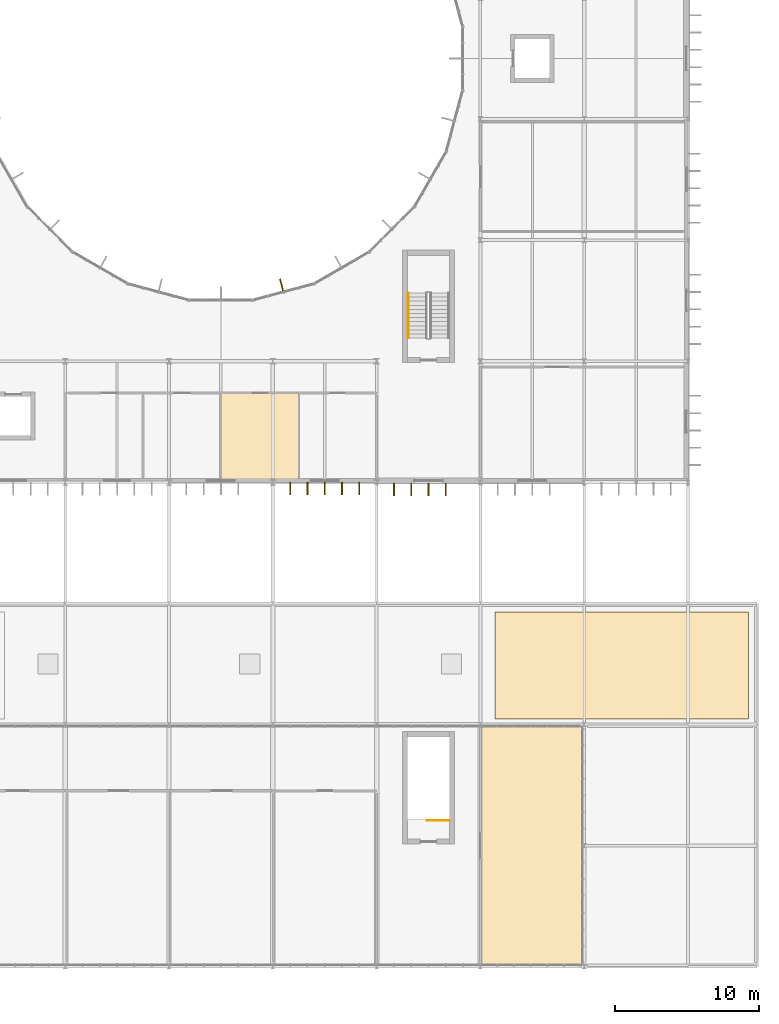
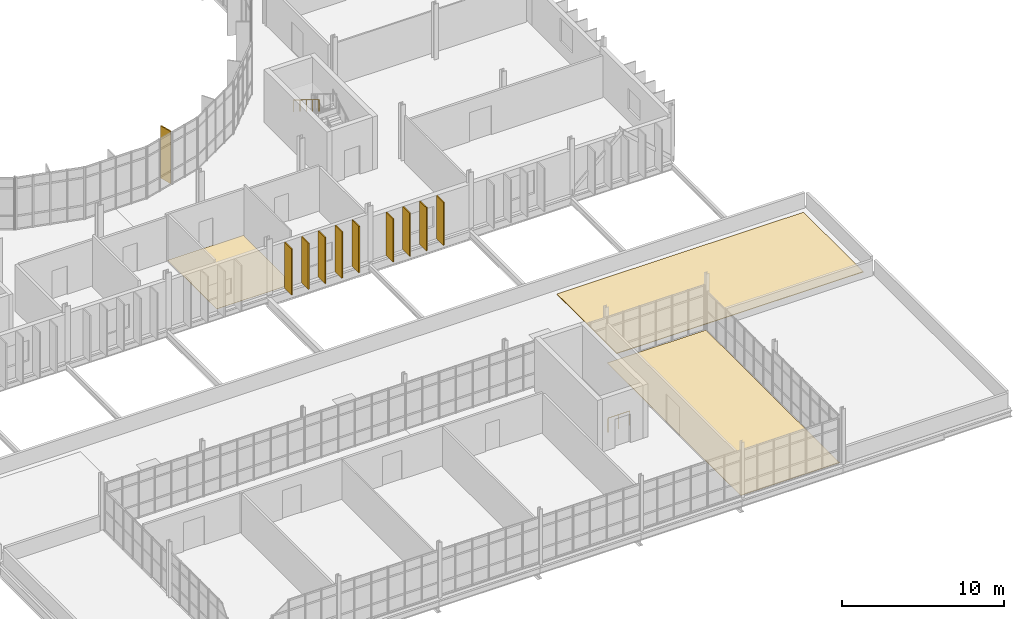
# One storey, part 117 of 119: 10 shading devices, 3 coverings, 2 railings.
"""IFC4 building model written with IfcOpenShell, lengths in metres."""

from ifc_helpers import new_model, si_unit, direction, frame, origin, origin_2d, place, context, subcontext, project, spatial, polyline, rectangle, circle, outline, extrude, material, layer, layer_set, type_object, element, save


model = new_model("IFC4")

# Units and contexts
model_context = context("Model", 3, precision=1e-05, world=origin(), true_north=direction((0.0, 1.0)))
body_context = subcontext(model_context, "Body", "Model", "MODEL_VIEW")
ifc_project = project(units=[si_unit("LENGTHUNIT", "METRE"), si_unit("AREAUNIT", "SQUARE_METRE"), si_unit("VOLUMEUNIT", "CUBIC_METRE"), si_unit("PLANEANGLEUNIT", "RADIAN"), si_unit("MASSUNIT", "GRAM", prefix="KILO")], contexts=[model_context])

# Site, building, storey
site_placement = place(None, origin())
site = spatial("IfcSite", under=ifc_project, at=site_placement, CompositionType="ELEMENT")
building_placement = place(site_placement, origin())
building = spatial("IfcBuilding", under=site, at=building_placement, Name="Qelthora Terrace Specialist Clinic", CompositionType="ELEMENT")
storey_placement = place(building_placement, frame((0.0, 0.0, 4.800048828125)))
storey = spatial("IfcBuildingStorey", under=building, at=storey_placement, Name="L01", CompositionType="ELEMENT", Elevation=4.800048828125)

# Coverings
ifc_material_1 = material(Name="Antimicrobial clinical linoleum flooring", Category="other")
ifc_layer_1 = layer(ifc_material_1, 0.011962890625)
ifc_layer_set_1 = layer_set([ifc_layer_1], Name="Antimicrobial clinical linoleum flooring")
covering_type_1 = type_object("IfcCoveringType", Name="COV-FLR-LINO-12", PredefinedType="FLOORING", material=ifc_layer_set_1)
covering_1_placement = place(storey_placement, origin())
element("IfcCovering", 1, at=covering_1_placement, inside=storey, type_object=covering_type_1, Name="Cardiopulmonary Rehab Studio L01-24 resilient linoleum flooring", PredefinedType="FLOORING", context=body_context, shape_type="SweptSolid", body=[
    extrude(outline(polyline([(144.0, 0.14990234375), (144.0, 16.64990234375), (151.050048828125, 16.64990234375), (151.050048828125, 0.14990234375), (144.0, 0.14990234375)])), origin(), (0.0, 0.0, 1.0), 0.011962890625),
])
covering_2_placement = place(storey_placement, origin())
element("IfcCovering", 2, at=covering_2_placement, inside=storey, type_object=covering_type_1, Name="Cardiology Waiting Lounge L01-35 resilient linoleum flooring", PredefinedType="FLOORING", context=body_context, shape_type="SweptSolid", body=[
    extrude(outline(polyline([(126.0048828125, 39.800048828125), (131.39990234375, 39.800048828125), (131.39990234375, 33.72998046875), (126.0048828125, 33.72998046875), (126.0048828125, 39.800048828125)])), origin(), (0.0, 0.0, 1.0), 0.011962890625),
])
ifc_material_2 = material(Name="Standing-seam titanium-zinc", Category="metals")
ifc_layer_2 = layer(ifc_material_2, 0.0400390625)
ifc_layer_set_2 = layer_set([ifc_layer_2], Name="Standing-seam titanium-zinc")
covering_type_2 = type_object("IfcCoveringType", Name="COV-ROOF-ZINC", PredefinedType="ROOFING", material=ifc_layer_set_2)
covering_3_placement = place(storey_placement, origin())
element("IfcCovering", 3, at=covering_3_placement, inside=storey, type_object=covering_type_2, Name="Standing-seam zinc roof covering RCOV-L01-11", PredefinedType="ROOFING", context=body_context, shape_type="SweptSolid", body=[
    extrude(outline(polyline([(145.0, 17.199951171875), (162.60009765625, 17.199951171875), (162.60009765625, 24.60009765625), (145.0, 24.60009765625), (145.0, 17.199951171875)])), origin(), (0.0, 0.0, 1.0), 0.0400390625),
])

# Railings
ifc_material_3 = material(Name="Steel S355", Category="steel")
railing_type_1 = type_object("IfcRailingType", Name="RAL-GD-1100-S355", PredefinedType="GUARDRAIL", material=ifc_material_3)
railing_1_placement = place(storey_placement, frame((141.85009765625, 10.14990234375, 0.0)))
element("IfcRailing", 4, at=railing_1_placement, inside=storey, type_object=railing_type_1, Name="L01 ST-08 top well guard 1", PredefinedType="GUARDRAIL", context=body_context, shape_type="SweptSolid", body=[
    extrude(circle(Radius=0.02392578125, at=origin_2d()), frame((0.0, 0.0, 1.076171875), z_axis=(-1.0, 0.0, 0.0), x_axis=(0.0, -1.0, 0.0)), (0.0, 0.0, 1.0), 1.550048828125),
    extrude(circle(Radius=0.02099609375, at=origin_2d()), origin(), (0.0, 0.0, 1.0), 1.052001953125),
    extrude(circle(Radius=0.02099609375, at=origin_2d()), frame((-0.77490234375, 0.0, 0.0)), (0.0, 0.0, 1.0), 1.052001953125),
    extrude(circle(Radius=0.02099609375, at=origin_2d()), frame((-1.550048828125, 0.0, 0.0)), (0.0, 0.0, 1.0), 1.052001953125),
])
railing_type_2 = type_object("IfcRailingType", Name="RAL-HR-900-S355", PredefinedType="HANDRAIL", material=ifc_material_3)
railing_2_placement = place(storey_placement, frame((139.0, 46.735107421875, 2.468017578125)))
element("IfcRailing", 5, at=railing_2_placement, inside=storey, type_object=railing_type_2, Name="L01 ST-06 stair handrail 2", PredefinedType="HANDRAIL", context=body_context, shape_type="SweptSolid", body=[
    extrude(circle(Radius=0.02392578125, at=origin_2d()), frame((0.0, 0.0, 0.8759765625), z_axis=(0.0, -0.852166034122, 0.523271488128), x_axis=(1.0, 0.0, 0.0)), (0.0, 0.0, 1.0), 3.678955078125),
    extrude(circle(Radius=0.02099609375, at=origin_2d()), origin(), (0.0, 0.0, 1.0), 0.851806640625),
    extrude(circle(Radius=0.02099609375, at=origin_2d()), frame((0.0, -0.78369140625, 0.481201171875)), (0.0, 0.0, 1.0), 0.851806640625),
    extrude(circle(Radius=0.02099609375, at=origin_2d()), frame((0.0, -1.5673828125, 0.96240234375)), (0.0, 0.0, 1.0), 0.851806640625),
    extrude(circle(Radius=0.02099609375, at=origin_2d()), frame((0.0, -2.351318359375, 1.44384765625)), (0.0, 0.0, 1.0), 0.851806640625),
    extrude(circle(Radius=0.02099609375, at=origin_2d()), frame((0.0, -3.135009765625, 1.925048828125)), (0.0, 0.0, 1.0), 0.851806640625),
])

# Shading devices
ifc_material_4 = material(Name="Glulam timber GL28h", Category="wood")
shading_device_type = type_object("IfcShadingDeviceType", Name="SHD-FIN-850", PredefinedType="USERDEFINED", material=ifc_material_4)
shading_device_placement = place(storey_placement, frame((130.208740234375, 47.292724609375, 0.0), z_axis=(0.0, 0.0, 1.0), x_axis=(-0.258819045103, 0.965925826289, 0.0)))
element("IfcShadingDevice", 6, at=shading_device_placement, inside=storey, type_object=shading_device_type, Name="Court solar fin FIN-0041", ObjectType="FIN", PredefinedType="USERDEFINED", context=body_context, shape_type="SweptSolid", body=[
    extrude(rectangle(XDim=0.85009765625, YDim=0.080078125, at=origin_2d()), origin(), (0.0, 0.0, 1.0), 3.945068359375),
])
for number, where, z_axis, x_axis, name in (
    (7, (130.800048828125, 33.1650390625, 0.0), (0.0, 0.0, 1.0), (0.0, -1.0, 0.0), "Exterior solar shading fin FIN-0954"),
    (8, (132.0, 33.1650390625, 0.0), (0.0, 0.0, 1.0), (0.0, -1.0, 0.0), "Exterior solar shading fin FIN-0955"),
    (9, (133.199951171875, 33.1650390625, 0.0), (0.0, 0.0, 1.0), (0.0, -1.0, 0.0), "Exterior solar shading fin FIN-0956"),
    (10, (134.39990234375, 33.1650390625, 0.0), (0.0, 0.0, 1.0), (0.0, -1.0, 0.0), "Exterior solar shading fin FIN-0957"),
    (11, (135.60009765625, 33.1650390625, 0.0), (0.0, 0.0, 1.0), (0.0, -1.0, 0.0), "Exterior solar shading fin FIN-0958"),
):
    element("IfcShadingDevice", number, at=place(storey_placement, frame(where, z_axis=z_axis, x_axis=x_axis)), inside=storey, type_object=shading_device_type, Name=name, ObjectType="FIN", PredefinedType="USERDEFINED", context=body_context, shape_type="SweptSolid", body=[
        extrude(rectangle(XDim=0.85009765625, YDim=0.080078125, at=origin_2d()), origin(), (0.0, 0.0, 1.0), 3.48193359375),
    ])
for number, where, z_axis, x_axis, name in (
    (12, (138.0, 33.10498046875, 0.0), (0.0, 0.0, 1.0), (0.0, -1.0, 0.0), "Exterior solar shading fin FIN-0959"),
    (13, (139.199951171875, 33.10498046875, 0.0), (0.0, 0.0, 1.0), (0.0, -1.0, 0.0), "Exterior solar shading fin FIN-0960"),
    (14, (140.39990234375, 33.10498046875, 0.0), (0.0, 0.0, 1.0), (0.0, -1.0, 0.0), "Exterior solar shading fin FIN-0961"),
    (15, (141.60009765625, 33.10498046875, 0.0), (0.0, 0.0, 1.0), (0.0, -1.0, 0.0), "Exterior solar shading fin FIN-0962"),
):
    element("IfcShadingDevice", number, at=place(storey_placement, frame(where, z_axis=z_axis, x_axis=x_axis)), inside=storey, type_object=shading_device_type, Name=name, ObjectType="FIN", PredefinedType="USERDEFINED", context=body_context, shape_type="SweptSolid", body=[
        extrude(rectangle(XDim=0.85009765625, YDim=0.080078125, at=origin_2d()), origin(), (0.0, 0.0, 1.0), 3.2490234375),
    ])

save(model, "model.ifc")
